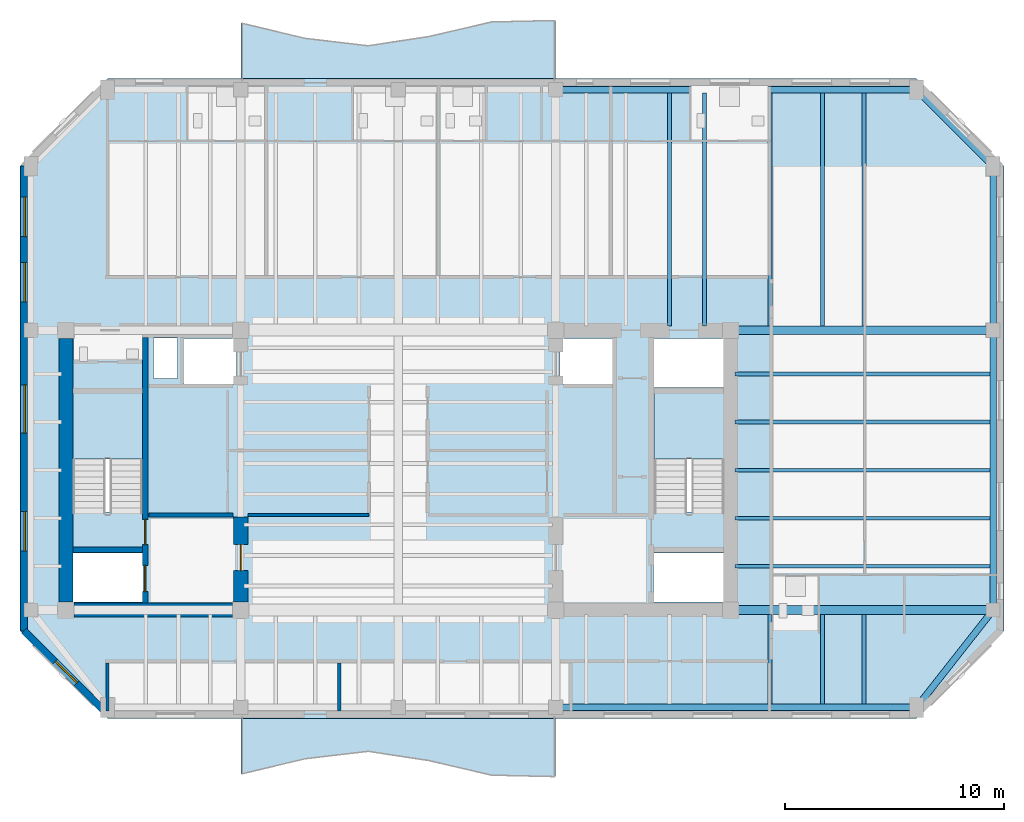
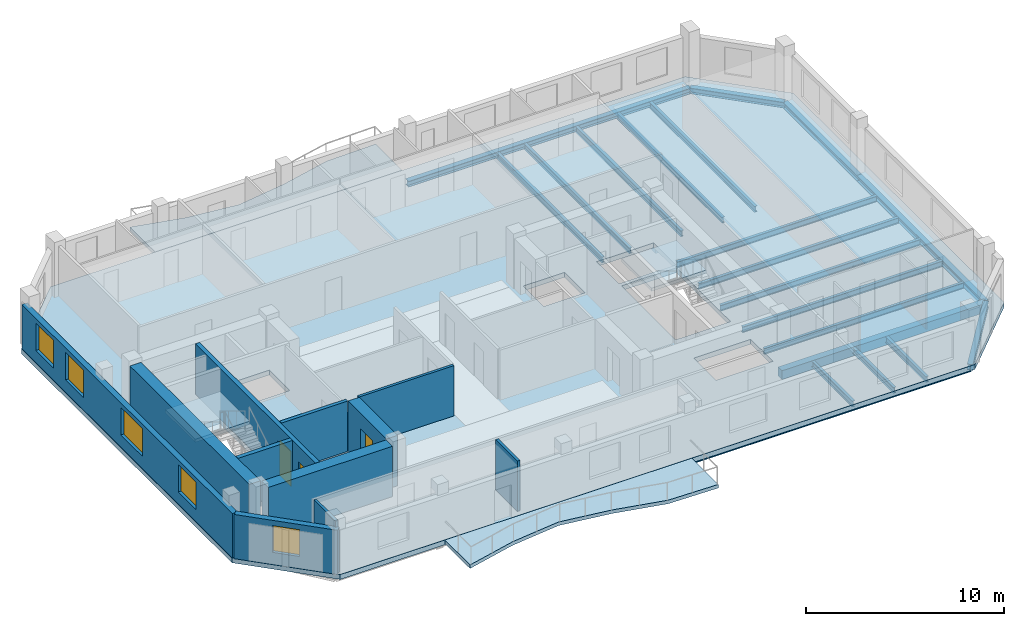
# One storey, part 2 of 9: 21 beams, 11 walls, 5 slabs, 5 windows, 3 doors, 8 openings, 2 elements without a shape of their own.
"""IFC4 building model written with IfcOpenShell, lengths in metres."""

from ifc_helpers import new_model, si_unit, direction, frame, frame_2d, origin, origin_2d, place, context, subcontext, project, spatial, polyline, rectangle, i_section, outline, extrude, material, layer, layer_set, material_profile, profile_set, type_object, element, fill, aggregate, save


model = new_model("IFC4")

# Units and contexts
model_context = context("Model", 3, precision=1e-05, world=origin(), true_north=direction((0.0, 1.0)))
body_context = subcontext(model_context, "Body", "Model", "MODEL_VIEW")
ifc_project = project(units=[si_unit("LENGTHUNIT", "METRE"), si_unit("AREAUNIT", "SQUARE_METRE"), si_unit("VOLUMEUNIT", "CUBIC_METRE"), si_unit("PLANEANGLEUNIT", "RADIAN"), si_unit("MASSUNIT", "GRAM", prefix="KILO")], contexts=[model_context])

# Site, building, storey
site_placement = place(None, origin())
site = spatial("IfcSite", under=ifc_project, at=site_placement, CompositionType="ELEMENT")
building_placement = place(site_placement, origin())
building = spatial("IfcBuilding", under=site, at=building_placement, Name="Kranthara Brick Stack", CompositionType="ELEMENT")
storey_placement = place(building_placement, frame((0.0, 0.0, 261.89990234375)))
storey = spatial("IfcBuildingStorey", under=building, at=storey_placement, Name="L69", CompositionType="ELEMENT", Elevation=261.89990234375)

# Beams
ifc_material_1 = material(Name="Post-tensioned concrete C45/55", Category="concrete")
ifc_material_profile_1 = material_profile(ifc_material_1, rectangle(XDim=0.39990234375, YDim=0.550048828125, at=origin_2d()), Name="PT 400x550")
ifc_profile_set_1 = profile_set([ifc_material_profile_1], Name="Post-tensioned concrete C45/55")
beam_type_1 = type_object("IfcBeamType", Name="BM-FLR-PT550", PredefinedType="BEAM", material=ifc_profile_set_1)
for number, where, z_axis, x_axis, name in (
    (1, (43.199951171875, 20.800048828125, -0.574951171875), (1.0, 0.0, 0.0), (0.0, 1.0, 0.0), "L69 Primary Grid Girder 029"),
    (2, (43.199951171875, 33.60009765625, -0.574951171875), (1.0, 0.0, 0.0), (0.0, 1.0, 0.0), "L69 Primary Grid Girder 031"),
):
    element("IfcBeam", number, at=place(storey_placement, frame(where, z_axis=z_axis, x_axis=x_axis)), inside=storey, type_object=beam_type_1, Name=name, PredefinedType="BEAM", context=body_context, shape_type="SweptSolid", body=[
        extrude(rectangle(XDim=0.39990234375, YDim=0.550048828125, at=origin_2d()), origin(), (0.0, 0.0, 1.0), 12.0),
    ])
ifc_material_2 = material(Name="Steel S355", Category="steel")
ifc_material_profile_2 = material_profile(ifc_material_2, i_section(OverallWidth=0.169921875, OverallDepth=0.360107421875, WebThickness=0.008056640625, FlangeThickness=0.0126953125, at=origin_2d()), Name="IPE 360")
ifc_profile_set_2 = profile_set([ifc_material_profile_2], Name="Steel S355")
beam_type_2 = type_object("IfcBeamType", Name="BM-JST-IPE360", PredefinedType="JOIST", material=ifc_profile_set_2)
for number, where, z_axis, x_axis, name in (
    (3, (40.39990234375, 33.800048828125, -0.47998046875), (0.0, 1.0, 0.0), (-1.0, 0.0, 0.0), "L69 North Wing Floor Joist 073"),
    (4, (42.0, 33.800048828125, -0.47998046875), (0.0, 1.0, 0.0), (-1.0, 0.0, 0.0), "L69 North Wing Floor Joist 075"),
):
    element("IfcBeam", number, at=place(storey_placement, frame(where, z_axis=z_axis, x_axis=x_axis)), inside=storey, type_object=beam_type_2, Name=name, PredefinedType="JOIST", context=body_context, shape_type="SweptSolid", body=[
        extrude(i_section(OverallWidth=0.169921875, OverallDepth=0.360107421875, WebThickness=0.008056640625, FlangeThickness=0.0126953125, at=origin_2d()), origin(), (0.0, 0.0, 1.0), 10.64990234375),
    ])
beam_1_placement = place(storey_placement, frame((45.0, 16.5, -0.47998046875), z_axis=(0.0, 1.0, 0.0), x_axis=(-1.0, 0.0, 0.0)))
element("IfcBeam", 5, at=beam_1_placement, inside=storey, type_object=beam_type_2, Name="L69 South Wing Floor Joist 076", PredefinedType="JOIST", context=body_context, shape_type="SweptSolid", body=[
    extrude(i_section(OverallWidth=0.169921875, OverallDepth=0.360107421875, WebThickness=0.008056640625, FlangeThickness=0.0126953125, at=origin_2d()), origin(), (0.0, 0.0, 1.0), 4.10009765625),
])
beam_2_placement = place(storey_placement, frame((45.0, 33.800048828125, -0.47998046875), z_axis=(0.0, 1.0, 0.0), x_axis=(-1.0, 0.0, 0.0)))
element("IfcBeam", 6, at=beam_2_placement, inside=storey, type_object=beam_type_2, Name="L69 North Wing Floor Joist 077", PredefinedType="JOIST", context=body_context, shape_type="SweptSolid", body=[
    extrude(i_section(OverallWidth=0.169921875, OverallDepth=0.360107421875, WebThickness=0.008056640625, FlangeThickness=0.0126953125, at=origin_2d()), origin(), (0.0, 0.0, 1.0), 10.64990234375),
])
beam_3_placement = place(storey_placement, frame((47.39990234375, 16.5, -0.47998046875), z_axis=(0.0, 1.0, 0.0), x_axis=(-1.0, 0.0, 0.0)))
element("IfcBeam", 7, at=beam_3_placement, inside=storey, type_object=beam_type_2, Name="L69 South Wing Floor Joist 078", PredefinedType="JOIST", context=body_context, shape_type="SweptSolid", body=[
    extrude(i_section(OverallWidth=0.169921875, OverallDepth=0.360107421875, WebThickness=0.008056640625, FlangeThickness=0.0126953125, at=origin_2d()), origin(), (0.0, 0.0, 1.0), 4.10009765625),
])
beam_4_placement = place(storey_placement, frame((47.39990234375, 33.800048828125, -0.47998046875), z_axis=(0.0, 1.0, 0.0), x_axis=(-1.0, 0.0, 0.0)))
element("IfcBeam", 8, at=beam_4_placement, inside=storey, type_object=beam_type_2, Name="L69 North Wing Floor Joist 079", PredefinedType="JOIST", context=body_context, shape_type="SweptSolid", body=[
    extrude(i_section(OverallWidth=0.169921875, OverallDepth=0.360107421875, WebThickness=0.008056640625, FlangeThickness=0.0126953125, at=origin_2d()), origin(), (0.0, 0.0, 1.0), 10.64990234375),
])
beam_5_placement = place(storey_placement, frame((49.300048828125, 16.5, -0.47998046875), z_axis=(0.0, 1.0, 0.0), x_axis=(-1.0, 0.0, 0.0)))
element("IfcBeam", 9, at=beam_5_placement, inside=storey, type_object=beam_type_2, Name="L69 South Wing Floor Joist 080", PredefinedType="JOIST", context=body_context, shape_type="SweptSolid", body=[
    extrude(i_section(OverallWidth=0.169921875, OverallDepth=0.360107421875, WebThickness=0.008056640625, FlangeThickness=0.0126953125, at=origin_2d()), origin(), (0.0, 0.0, 1.0), 4.10009765625),
])
beam_6_placement = place(storey_placement, frame((49.300048828125, 33.800048828125, -0.47998046875), z_axis=(0.0, 1.0, 0.0), x_axis=(-1.0, 0.0, 0.0)))
element("IfcBeam", 10, at=beam_6_placement, inside=storey, type_object=beam_type_2, Name="L69 North Wing Floor Joist 081", PredefinedType="JOIST", context=body_context, shape_type="SweptSolid", body=[
    extrude(i_section(OverallWidth=0.169921875, OverallDepth=0.360107421875, WebThickness=0.008056640625, FlangeThickness=0.0126953125, at=origin_2d()), origin(), (0.0, 0.0, 1.0), 10.64990234375),
])
for number, where, z_axis, x_axis, name in (
    (11, (43.39990234375, 22.800048828125, -0.47998046875), (1.0, 0.0, 0.0), (0.0, 1.0, 0.0), "L69 East Wing Floor Joist 083"),
    (12, (43.39990234375, 25.0, -0.47998046875), (1.0, 0.0, 0.0), (0.0, 1.0, 0.0), "L69 East Wing Floor Joist 085"),
    (13, (43.39990234375, 27.199951171875, -0.47998046875), (1.0, 0.0, 0.0), (0.0, 1.0, 0.0), "L69 East Wing Floor Joist 087"),
    (14, (43.39990234375, 29.39990234375, -0.47998046875), (1.0, 0.0, 0.0), (0.0, 1.0, 0.0), "L69 East Wing Floor Joist 089"),
    (15, (43.39990234375, 31.60009765625, -0.47998046875), (1.0, 0.0, 0.0), (0.0, 1.0, 0.0), "L69 East Wing Floor Joist 091"),
):
    element("IfcBeam", number, at=place(storey_placement, frame(where, z_axis=z_axis, x_axis=x_axis)), inside=storey, type_object=beam_type_2, Name=name, PredefinedType="JOIST", context=body_context, shape_type="SweptSolid", body=[
        extrude(i_section(OverallWidth=0.169921875, OverallDepth=0.360107421875, WebThickness=0.008056640625, FlangeThickness=0.0126953125, at=origin_2d()), origin(), (0.0, 0.0, 1.0), 11.650146484375),
    ])
ifc_material_3 = material(Name="Steel S355", Category="steel")
ifc_material_profile_3 = material_profile(ifc_material_3, i_section(OverallWidth=0.300048828125, OverallDepth=0.360107421875, WebThickness=0.012451171875, FlangeThickness=0.0224609375, at=origin_2d()), Name="HEB 360")
ifc_profile_set_3 = profile_set([ifc_material_profile_3], Name="Steel S355")
beam_type_3 = type_object("IfcBeamType", Name="BM-STL-HEB360", PredefinedType="SPANDREL", material=ifc_profile_set_3)
for number, where, z_axis, x_axis, name in (
    (16, (35.199951171875, 16.35009765625, -0.47998046875), (1.0, 0.0, 0.0), (0.0, 1.0, 0.0), "L69 Perimeter Spandrel Beam 008"),
    (17, (35.199951171875, 44.60009765625, -0.47998046875), (1.0, 0.0, 0.0), (0.0, 1.0, 0.0), "L69 Perimeter Spandrel Beam 012"),
):
    element("IfcBeam", number, at=place(storey_placement, frame(where, z_axis=z_axis, x_axis=x_axis)), inside=storey, type_object=beam_type_3, Name=name, PredefinedType="SPANDREL", context=body_context, shape_type="SweptSolid", body=[
        extrude(i_section(OverallWidth=0.300048828125, OverallDepth=0.360107421875, WebThickness=0.012451171875, FlangeThickness=0.0224609375, at=origin_2d()), origin(), (0.0, 0.0, 1.0), 16.5),
    ])
beam_7_placement = place(storey_placement, frame((55.199951171875, 20.800048828125, -0.47998046875), z_axis=(0.0, 1.0, 0.0), x_axis=(-1.0, 0.0, 0.0)))
element("IfcBeam", 18, at=beam_7_placement, inside=storey, type_object=beam_type_3, Name="L69 Perimeter Spandrel Beam 015", PredefinedType="SPANDREL", context=body_context, shape_type="SweptSolid", body=[
    extrude(i_section(OverallWidth=0.300048828125, OverallDepth=0.360107421875, WebThickness=0.012451171875, FlangeThickness=0.0224609375, at=origin_2d()), origin(), (0.0, 0.0, 1.0), 12.800048828125),
])
beam_8_placement = place(storey_placement, frame((55.199951171875, 33.60009765625, -0.47998046875), z_axis=(0.0, 1.0, 0.0), x_axis=(-1.0, 0.0, 0.0)))
element("IfcBeam", 19, at=beam_8_placement, inside=storey, type_object=beam_type_3, Name="L69 Perimeter Spandrel Beam 016", PredefinedType="SPANDREL", context=body_context, shape_type="SweptSolid", body=[
    extrude(i_section(OverallWidth=0.300048828125, OverallDepth=0.360107421875, WebThickness=0.012451171875, FlangeThickness=0.0224609375, at=origin_2d()), origin(), (0.0, 0.0, 1.0), 7.5),
])
beam_9_placement = place(storey_placement, frame((51.699951171875, 16.35009765625, -0.47998046875), z_axis=(0.618215705636, 0.78600848679, 0.0), x_axis=(-0.78600848679, 0.618215705636, 0.0)))
element("IfcBeam", 20, at=beam_9_placement, inside=storey, type_object=beam_type_3, Name="L69 Chamfer Corner Spandrel 018", PredefinedType="SPANDREL", context=body_context, shape_type="SweptSolid", body=[
    extrude(i_section(OverallWidth=0.300048828125, OverallDepth=0.360107421875, WebThickness=0.012451171875, FlangeThickness=0.0224609375, at=origin_2d()), origin(), (0.0, 0.0, 1.0), 5.661376953125),
])
beam_10_placement = place(storey_placement, frame((51.699951171875, 44.60009765625, -0.47998046875), z_axis=(0.707106781187, -0.707106781187, 0.0), x_axis=(0.707106781187, 0.707106781187, 0.0)))
element("IfcBeam", 21, at=beam_10_placement, inside=storey, type_object=beam_type_3, Name="L69 Chamfer Corner Spandrel 020", PredefinedType="SPANDREL", context=body_context, shape_type="SweptSolid", body=[
    extrude(i_section(OverallWidth=0.300048828125, OverallDepth=0.360107421875, WebThickness=0.012451171875, FlangeThickness=0.0224609375, at=origin_2d()), origin(), (0.0, 0.0, 1.0), 4.94970703125),
])

# Slabs
ifc_material_4 = material(Name="Concrete C45/55", Category="concrete")
ifc_layer_1 = layer(ifc_material_4, 0.219970703125)
ifc_layer_set_1 = layer_set([ifc_layer_1], Name="Concrete C45/55")
slab_type_1 = type_object("IfcSlabType", Name="SLB-BALC-220", PredefinedType="FLOOR", material=ifc_layer_set_1)
slab_1_placement = place(storey_placement, frame((0.0, 0.0, -0.219970703125)))
element("IfcSlab", 22, at=slab_1_placement, inside=storey, type_object=slab_type_1, Name="L69 South Rippling Balcony Slab", PredefinedType="FLOOR", context=body_context, shape_type="SweptSolid", body=[
    extrude(outline(polyline([(20.800048828125, 15.85009765625), (35.199951171875, 15.85009765625), (35.199951171875, 13.1787109375), (32.320068359375, 13.240478515625), (29.43994140625, 13.91162109375), (26.56005859375, 14.34814453125), (23.679931640625, 14.0009765625), (20.800048828125, 13.306884765625), (20.800048828125, 15.85009765625)])), origin(), (0.0, 0.0, 1.0), 0.219970703125),
])
slab_2_placement = place(storey_placement, frame((0.0, 0.0, -0.219970703125)))
element("IfcSlab", 23, at=slab_2_placement, inside=storey, type_object=slab_type_1, Name="L69 North Rippling Balcony Slab", PredefinedType="FLOOR", context=body_context, shape_type="SweptSolid", body=[
    extrude(outline(polyline([(35.199951171875, 45.10009765625), (20.800048828125, 45.10009765625), (20.800048828125, 47.643310546875), (23.679931640625, 46.948974609375), (26.56005859375, 46.601806640625), (29.43994140625, 47.038330078125), (32.320068359375, 47.709716796875), (35.199951171875, 47.771240234375), (35.199951171875, 45.10009765625)])), origin(), (0.0, 0.0, 1.0), 0.219970703125),
])

# Stair, slab
ifc_material_5 = material(Name="Concrete C45/55", Category="concrete")
stair_type = type_object("IfcStairType", Name="ST-CORE-20R", PredefinedType="HALF_TURN_STAIR", material=ifc_material_5)
stair_1_placement = place(storey_placement, origin())
stair_1 = element("IfcStair", 24, at=stair_1_placement, inside=storey, type_object=stair_type, Name="L69 West Core Protected Exit Stair ST01", PredefinedType="HALF_TURN_STAIR")
ifc_material_6 = material(Name="Concrete C45/55", Category="concrete")
ifc_layer_2 = layer(ifc_material_6, 0.199951171875)
ifc_layer_set_2 = layer_set([ifc_layer_2], Name="Concrete C45/55")
slab_type_2 = type_object("IfcSlabType", Name="SLB-LANDING-200", PredefinedType="LANDING", material=ifc_layer_set_2)
slab_3_placement = place(storey_placement, frame((0.0, 0.0, 1.5)))
slab_3 = element("IfcSlab", 25, at=slab_3_placement, type_object=slab_type_2, Name="ST01 landing 1", PredefinedType="LANDING", context=body_context, shape_type="SweptSolid", body=[
    extrude(outline(polyline([(16.300048828125, 27.719970703125), (16.300048828125, 30.75), (13.10009765625, 30.75), (13.10009765625, 27.719970703125), (16.300048828125, 27.719970703125)])), origin(), (0.0, 0.0, 1.0), 0.2001953125),
])
aggregate(stair_1, [slab_3])

stair_2_placement = place(storey_placement, origin())
stair_2 = element("IfcStair", 26, at=stair_2_placement, inside=storey, type_object=stair_type, Name="L69 East Core Protected Exit Stair ST02", PredefinedType="HALF_TURN_STAIR")
slab_4_placement = place(storey_placement, frame((0.0, 0.0, 1.5)))
slab_4 = element("IfcSlab", 27, at=slab_4_placement, type_object=slab_type_2, Name="ST02 landing 1", PredefinedType="LANDING", context=body_context, shape_type="SweptSolid", body=[
    extrude(outline(polyline([(42.89990234375, 27.719970703125), (42.89990234375, 30.75), (39.699951171875, 30.75), (39.699951171875, 27.719970703125), (42.89990234375, 27.719970703125)])), origin(), (0.0, 0.0, 1.0), 0.2001953125),
])
aggregate(stair_2, [slab_4])

# Slab
ifc_material_7 = material(Name="Post-tensioned concrete C45/55", Category="concrete")
ifc_layer_3 = layer(ifc_material_7, 0.300048828125)
ifc_layer_set_3 = layer_set([ifc_layer_3], Name="Post-tensioned concrete C45/55")
slab_type_3 = type_object("IfcSlabType", Name="SLB-TWR-300", PredefinedType="FLOOR", material=ifc_layer_set_3)
slab_5_placement = place(storey_placement, frame((0.0, 0.0, -0.2998046875)))
element("IfcSlab", 28, at=slab_5_placement, inside=storey, type_object=slab_type_3, Name="L69 Structural Floor Plate", PredefinedType="FLOOR", context=body_context, shape_type="SweptSolid", body=[
    extrude(outline(polyline([(14.699951171875, 15.85009765625), (51.699951171875, 15.85009765625), (55.699951171875, 19.85009765625), (55.699951171875, 41.10009765625), (51.699951171875, 45.10009765625), (14.699951171875, 45.10009765625), (10.699951171875, 41.10009765625), (10.699951171875, 19.85009765625), (14.699951171875, 15.85009765625)]), holes=[polyline([(13.10009765625, 25.280029296875), (16.300048828125, 25.280029296875), (16.300048828125, 30.75), (13.10009765625, 30.75), (13.10009765625, 25.280029296875)]), polyline([(39.699951171875, 25.280029296875), (42.89990234375, 25.280029296875), (42.89990234375, 30.75), (39.699951171875, 30.75), (39.699951171875, 25.280029296875)]), polyline([(13.0, 21.179931640625), (16.320068359375, 21.179931640625), (16.320068359375, 23.419921875), (13.0, 23.419921875), (13.0, 21.179931640625)]), polyline([(39.679931640625, 21.179931640625), (43.0, 21.179931640625), (43.0, 23.419921875), (39.679931640625, 23.419921875), (39.679931640625, 21.179931640625)]), polyline([(39.679931640625, 30.97998046875), (43.0, 30.97998046875), (43.0, 33.219970703125), (39.679931640625, 33.219970703125), (39.679931640625, 30.97998046875)]), polyline([(18.199951171875, 31.14990234375), (20.60009765625, 31.14990234375), (20.60009765625, 33.219970703125), (18.199951171875, 33.219970703125), (18.199951171875, 31.14990234375)]), polyline([(35.39990234375, 31.14990234375), (37.800048828125, 31.14990234375), (37.800048828125, 33.219970703125), (35.39990234375, 33.219970703125), (35.39990234375, 31.14990234375)]), polyline([(16.800048828125, 31.39990234375), (17.89990234375, 31.39990234375), (17.89990234375, 33.25), (16.800048828125, 33.25), (16.800048828125, 31.39990234375)])]), origin(), (0.0, 0.0, 1.0), 0.2998046875),
])

# Wall, opening, window
ifc_material_8 = material(Name="Warm buff clay brick masonry M15", Category="masonry")
ifc_layer_4 = layer(ifc_material_8, 0.320068359375)
ifc_layer_set_4 = layer_set([ifc_layer_4], Name="Warm buff clay brick masonry M15")
wall_type_1 = type_object("IfcWallType", Name="WL-BRK-UPPR-320", PredefinedType="STANDARD", material=ifc_layer_set_4)
wall_1_placement = place(storey_placement, frame((14.699951171875, 16.030029296875, 0.0), z_axis=(0.0, 0.0, 1.0), x_axis=(-0.707106781187, 0.707106781187, 0.0)))
wall_1 = element("IfcWall", 29, at=wall_1_placement, inside=storey, type_object=wall_type_1, Name="L69 Exterior Brick Facade Wall SW 1", PredefinedType="STANDARD", context=body_context, shape_type="SweptSolid", body=[
    extrude(rectangle(XDim=5.40234375, YDim=0.320068359375, at=frame_2d((2.701171875, 0.0))), origin(), (0.0, 0.0, 1.0), 2.72509765625),
])
opening_1_placement = place(wall_1_placement, frame((2.0009765625, 0.0, 0.75)))
opening_1 = element("IfcOpeningElement", 30, at=opening_1_placement, cuts=wall_1, Name="Opening WN10", PredefinedType="OPENING", context=body_context, shape_type="SweptSolid", body=[
    extrude(rectangle(XDim=1.39990234375, YDim=1.64990234375, at=frame_2d((0.699951171875, 0.824951171875))), frame((0.0, 0.169921875, 0.0), z_axis=(0.0, -1.0, 0.0), x_axis=(1.0, 0.0, 0.0)), (0.0, 0.0, 1.0), 0.340087890625),
])
ifc_material_9 = material(Name="Double-glazed low-E solar control glass", Category="glass")
window_type_1 = type_object("IfcWindowType", Name="WN-CHM-1400x1750", PartitioningType="SINGLE_PANEL", PredefinedType="WINDOW", material=ifc_material_9)
window_1_placement = place(opening_1_placement, origin())
window_1 = element("IfcWindow", 31, at=window_1_placement, inside=storey, type_object=window_type_1, Name="L69 SW Chamfer Corner Window", OverallHeight=1.64990234375, OverallWidth=1.39990234375, PartitioningType="SINGLE_PANEL", PredefinedType="WINDOW", context=body_context, shape_type="SweptSolid", body=[
    extrude(rectangle(XDim=1.39990234375, YDim=1.64990234375, at=frame_2d((0.699951171875, 0.824951171875))), frame((0.0, -0.010009765625, 0.0), z_axis=(0.0, -1.0, 0.0), x_axis=(1.0, 0.0, 0.0)), (0.0, 0.0, 1.0), 0.06005859375),
])
fill(opening_1, window_1)

# Wall, openings, windows
wall_2_placement = place(storey_placement, frame((10.8798828125, 19.85009765625, 0.0), z_axis=(0.0, 0.0, 1.0), x_axis=(0.0, 1.0, 0.0)))
wall_2 = element("IfcWall", 32, at=wall_2_placement, inside=storey, type_object=wall_type_1, Name="L69 Exterior Brick Facade Wall WEST 1", PredefinedType="STANDARD", context=body_context, shape_type="SweptSolid", body=[
    extrude(rectangle(XDim=21.25, YDim=0.320068359375, at=frame_2d((10.625, 0.0))), origin(), (0.0, 0.0, 1.0), 2.72509765625),
])
opening_2_placement = place(wall_2_placement, frame((3.654052734375, 0.0, 0.75)))
opening_2 = element("IfcOpeningElement", 33, at=opening_2_placement, cuts=wall_2, Name="Opening WN07", PredefinedType="OPENING", context=body_context, shape_type="SweptSolid", body=[
    extrude(rectangle(XDim=1.800048828125, YDim=1.699951171875, at=frame_2d((0.89990234375, 0.85009765625))), frame((0.0, 0.169921875, 0.0), z_axis=(0.0, -1.0, 0.0), x_axis=(1.0, 0.0, 0.0)), (0.0, 0.0, 1.0), 0.340087890625),
])
opening_3_placement = place(wall_2_placement, frame((9.0458984375, 0.0, 0.75)))
opening_3 = element("IfcOpeningElement", 34, at=opening_3_placement, cuts=wall_2, Name="Opening WN08", PredefinedType="OPENING", context=body_context, shape_type="SweptSolid", body=[
    extrude(rectangle(XDim=2.199951171875, YDim=1.699951171875, at=frame_2d((1.10009765625, 0.85009765625))), frame((0.0, 0.169921875, 0.0), z_axis=(0.0, -1.0, 0.0), x_axis=(1.0, 0.0, 0.0)), (0.0, 0.0, 1.0), 0.340087890625),
])
opening_4_placement = place(wall_2_placement, frame((15.04296875, 0.0, 0.75)))
opening_4 = element("IfcOpeningElement", 35, at=opening_4_placement, cuts=wall_2, Name="Opening WN07", PredefinedType="OPENING", context=body_context, shape_type="SweptSolid", body=[
    extrude(rectangle(XDim=1.800048828125, YDim=1.699951171875, at=frame_2d((0.89990234375, 0.85009765625))), frame((0.0, 0.169921875, 0.0), z_axis=(0.0, -1.0, 0.0), x_axis=(1.0, 0.0, 0.0)), (0.0, 0.0, 1.0), 0.340087890625),
])
opening_5_placement = place(wall_2_placement, frame((18.031982421875, 0.0, 0.75)))
opening_5 = element("IfcOpeningElement", 36, at=opening_5_placement, cuts=wall_2, Name="Opening WN07", PredefinedType="OPENING", context=body_context, shape_type="SweptSolid", body=[
    extrude(rectangle(XDim=1.800048828125, YDim=1.699951171875, at=frame_2d((0.89990234375, 0.85009765625))), frame((0.0, 0.169921875, 0.0), z_axis=(0.0, -1.0, 0.0), x_axis=(1.0, 0.0, 0.0)), (0.0, 0.0, 1.0), 0.340087890625),
])
ifc_material_10 = material(Name="Double-glazed low-E solar control glass", Category="glass")
window_type_2 = type_object("IfcWindowType", Name="WN-RES-1800x1850", PartitioningType="DOUBLE_PANEL_VERTICAL", PredefinedType="WINDOW", material=ifc_material_10)
window_2_placement = place(opening_2_placement, origin())
window_2 = element("IfcWindow", 37, at=window_2_placement, inside=storey, type_object=window_type_2, Name="L69 West Deep-Set Brick Window 01", OverallHeight=1.699951171875, OverallWidth=1.800048828125, PartitioningType="SINGLE_PANEL", PredefinedType="WINDOW", context=body_context, shape_type="SweptSolid", body=[
    extrude(rectangle(XDim=1.800048828125, YDim=1.699951171875, at=frame_2d((0.89990234375, 0.85009765625))), frame((0.0, -0.010009765625, 0.0), z_axis=(0.0, -1.0, 0.0), x_axis=(1.0, 0.0, 0.0)), (0.0, 0.0, 1.0), 0.06005859375),
])
fill(opening_2, window_2)
window_3_placement = place(opening_4_placement, origin())
window_3 = element("IfcWindow", 38, at=window_3_placement, inside=storey, type_object=window_type_2, Name="L69 West Deep-Set Brick Window 03", OverallHeight=1.699951171875, OverallWidth=1.800048828125, PartitioningType="SINGLE_PANEL", PredefinedType="WINDOW", context=body_context, shape_type="SweptSolid", body=[
    extrude(rectangle(XDim=1.800048828125, YDim=1.699951171875, at=frame_2d((0.89990234375, 0.85009765625))), frame((0.0, -0.010009765625, 0.0), z_axis=(0.0, -1.0, 0.0), x_axis=(1.0, 0.0, 0.0)), (0.0, 0.0, 1.0), 0.06005859375),
])
fill(opening_4, window_3)
window_4_placement = place(opening_5_placement, origin())
window_4 = element("IfcWindow", 39, at=window_4_placement, inside=storey, type_object=window_type_2, Name="L69 West Deep-Set Brick Window 04", OverallHeight=1.699951171875, OverallWidth=1.800048828125, PartitioningType="SINGLE_PANEL", PredefinedType="WINDOW", context=body_context, shape_type="SweptSolid", body=[
    extrude(rectangle(XDim=1.800048828125, YDim=1.699951171875, at=frame_2d((0.89990234375, 0.85009765625))), frame((0.0, -0.010009765625, 0.0), z_axis=(0.0, -1.0, 0.0), x_axis=(1.0, 0.0, 0.0)), (0.0, 0.0, 1.0), 0.06005859375),
])
fill(opening_5, window_4)
ifc_material_11 = material(Name="Double-glazed low-E solar control glass", Category="glass")
window_type_3 = type_object("IfcWindowType", Name="WN-RES-2200x1850", PartitioningType="TRIPLE_PANEL_VERTICAL", PredefinedType="WINDOW", material=ifc_material_11)
window_5_placement = place(opening_3_placement, origin())
window_5 = element("IfcWindow", 40, at=window_5_placement, inside=storey, type_object=window_type_3, Name="L69 West Deep-Set Brick Window 02", OverallHeight=1.699951171875, OverallWidth=2.199951171875, PartitioningType="SINGLE_PANEL", PredefinedType="WINDOW", context=body_context, shape_type="SweptSolid", body=[
    extrude(rectangle(XDim=2.199951171875, YDim=1.699951171875, at=frame_2d((1.10009765625, 0.85009765625))), frame((0.0, -0.010009765625, 0.0), z_axis=(0.0, -1.0, 0.0), x_axis=(1.0, 0.0, 0.0)), (0.0, 0.0, 1.0), 0.06005859375),
])
fill(opening_3, window_5)

# Wall, openings, doors
ifc_material_12 = material(Name="Concrete C50/60", Category="concrete")
ifc_layer_5 = layer(ifc_material_12, 0.25)
ifc_layer_set_5 = layer_set([ifc_layer_5], Name="Concrete C50/60")
wall_type_2 = type_object("IfcWallType", Name="WL-CORE-250", PredefinedType="SHEAR", material=ifc_layer_set_5)
wall_3_placement = place(storey_placement, frame((16.43505859375, 21.135009765625, 0.0), z_axis=(0.0, 0.0, 1.0), x_axis=(0.0, 1.0, 0.0)))
wall_3 = element("IfcWall", 41, at=wall_3_placement, inside=storey, type_object=wall_type_2, Name="L69 West Core Stair Bearing Spine Wall", PredefinedType="SHEAR", context=body_context, shape_type="SweptSolid", body=[
    extrude(rectangle(XDim=12.1298828125, YDim=0.25, at=frame_2d((6.06494140625, 0.0))), origin(), (0.0, 0.0, 1.0), 3.10009765625),
])
opening_6_placement = place(wall_3_placement, frame((0.514892578125, 0.0, 0.0)))
opening_6 = element("IfcOpeningElement", 42, at=opening_6_placement, cuts=wall_3, Name="Opening LD01", PredefinedType="OPENING", context=body_context, shape_type="SweptSolid", body=[
    extrude(rectangle(XDim=1.199951171875, YDim=2.14990234375, at=frame_2d((0.60009765625, 1.074951171875))), frame((0.0, 0.135009765625, 0.0), z_axis=(0.0, -1.0, 0.0), x_axis=(1.0, 0.0, 0.0)), (0.0, 0.0, 1.0), 0.27001953125),
])
opening_7_placement = place(wall_3_placement, frame((2.6650390625, 0.0, 0.0)))
opening_7 = element("IfcOpeningElement", 43, at=opening_7_placement, cuts=wall_3, Name="Opening D05", PredefinedType="OPENING", context=body_context, shape_type="SweptSolid", body=[
    extrude(rectangle(XDim=1.14990234375, YDim=2.14990234375, at=frame_2d((0.574951171875, 1.074951171875))), frame((0.0, 0.135009765625, 0.0), z_axis=(0.0, -1.0, 0.0), x_axis=(1.0, 0.0, 0.0)), (0.0, 0.0, 1.0), 0.27001953125),
])
ifc_material_13 = material(Name="Stainless steel sliding landing door", Category="steel")
door_type_1 = type_object("IfcDoorType", Name="DR-LD-FF1200", OperationType="DOUBLE_DOOR_SLIDING", PredefinedType="DOOR", material=ifc_material_13)
door_1_placement = place(opening_6_placement, origin())
door_1 = element("IfcDoor", 44, at=door_1_placement, inside=storey, type_object=door_type_1, Name="L69 Firefighting Lift FF-01 Landing Door", OperationType="DOUBLE_DOOR_SLIDING", OverallHeight=2.14990234375, OverallWidth=1.199951171875, PredefinedType="DOOR", context=body_context, shape_type="SweptSolid", body=[
    extrude(rectangle(XDim=1.199951171875, YDim=2.14990234375, at=frame_2d((0.60009765625, 1.074951171875))), frame((0.0, 0.02490234375, 0.0), z_axis=(0.0, -1.0, 0.0), x_axis=(1.0, 0.0, 0.0)), (0.0, 0.0, 1.0), 0.050048828125),
])
fill(opening_6, door_1)
ifc_material_14 = material(Name="Solid-core hardwood timber leaf in steel frame", Category="steel")
door_type_2 = type_object("IfcDoorType", Name="DR-ST-1150", OperationType="NOTDEFINED", PredefinedType="DOOR", material=ifc_material_14)
door_2_placement = place(opening_7_placement, origin())
door_2 = element("IfcDoor", 45, at=door_2_placement, inside=storey, type_object=door_type_2, Name="L69 Exit Stair ST01 Door", OperationType="SINGLE_SWING_RIGHT", OverallHeight=2.14990234375, OverallWidth=1.14990234375, PredefinedType="DOOR", context=body_context, shape_type="SweptSolid", body=[
    extrude(rectangle(XDim=1.14990234375, YDim=2.14990234375, at=frame_2d((0.574951171875, 1.074951171875))), frame((0.0, 0.02490234375, 0.0), z_axis=(0.0, -1.0, 0.0), x_axis=(1.0, 0.0, 0.0)), (0.0, 0.0, 1.0), 0.050048828125),
])
fill(opening_7, door_2)

# Walls
wall_4_placement = place(storey_placement, frame((13.135009765625, 23.570068359375, 0.0), z_axis=(0.0, 0.0, 1.0), x_axis=(1.0, 0.0, 0.0)))
element("IfcWall", 46, at=wall_4_placement, inside=storey, type_object=wall_type_2, Name="L69 West Stairwell Bearing Wall WFF", PredefinedType="SHEAR", context=body_context, shape_type="SweptSolid", body=[
    extrude(rectangle(XDim=3.175048828125, YDim=0.25, at=frame_2d((1.58740234375, 0.0))), origin(), (0.0, 0.0, 1.0), 3.10009765625),
])
ifc_material_15 = material(Name="Concrete C60/75", Category="concrete")
ifc_layer_6 = layer(ifc_material_15, 0.64990234375)
ifc_layer_set_6 = layer_set([ifc_layer_6], Name="Concrete C60/75")
wall_type_3 = type_object("IfcWallType", Name="WL-CORE-650", PredefinedType="SHEAR", material=ifc_layer_set_6)
wall_5_placement = place(storey_placement, frame((12.800048828125, 21.179931640625, 0.0), z_axis=(0.0, 0.0, 1.0), x_axis=(0.0, 1.0, 0.0)))
element("IfcWall", 47, at=wall_5_placement, inside=storey, type_object=wall_type_3, Name="L69 West Core Shear Wall West", PredefinedType="SHEAR", context=body_context, shape_type="SweptSolid", body=[
    extrude(rectangle(XDim=12.0400390625, YDim=0.64990234375, at=frame_2d((6.02001953125, 0.0))), origin(), (0.0, 0.0, 1.0), 3.10009765625),
])
wall_6_placement = place(storey_placement, frame((13.179931640625, 20.800048828125, 0.0), z_axis=(0.0, 0.0, 1.0), x_axis=(1.0, 0.0, 0.0)))
element("IfcWall", 48, at=wall_6_placement, inside=storey, type_object=wall_type_3, Name="L69 West Core Shear Wall South", PredefinedType="SHEAR", context=body_context, shape_type="SweptSolid", body=[
    extrude(rectangle(XDim=7.239990234375, YDim=0.64990234375, at=frame_2d((3.6201171875, 0.0))), origin(), (0.0, 0.0, 1.0), 3.10009765625),
])

# Wall, opening, door
wall_7_placement = place(storey_placement, frame((20.800048828125, 21.179931640625, 0.0), z_axis=(0.0, 0.0, 1.0), x_axis=(0.0, 1.0, 0.0)))
wall_7 = element("IfcWall", 49, at=wall_7_placement, inside=storey, type_object=wall_type_3, Name="L69 West Core Lobby Shear Wall", PredefinedType="SHEAR", context=body_context, shape_type="SweptSolid", body=[
    extrude(rectangle(XDim=3.8701171875, YDim=0.64990234375, at=frame_2d((1.93505859375, 0.0))), origin(), (0.0, 0.0, 1.0), 3.10009765625),
])
opening_8_placement = place(wall_7_placement, frame((1.419921875, 0.0, 0.0)))
opening_8 = element("IfcOpeningElement", 50, at=opening_8_placement, cuts=wall_7, Name="Opening D06", PredefinedType="OPENING", context=body_context, shape_type="SweptSolid", body=[
    extrude(rectangle(XDim=1.199951171875, YDim=2.14990234375, at=frame_2d((0.60009765625, 1.074951171875))), frame((0.0, 0.3349609375, 0.0), z_axis=(0.0, -1.0, 0.0), x_axis=(1.0, 0.0, 0.0)), (0.0, 0.0, 1.0), 0.669921875),
])
ifc_material_16 = material(Name="Solid-core hardwood timber leaf in steel frame", Category="steel")
door_type_3 = type_object("IfcDoorType", Name="DR-FFL-1200", OperationType="NOTDEFINED", PredefinedType="DOOR", material=ifc_material_16)
door_3_placement = place(opening_8_placement, origin())
door_3 = element("IfcDoor", 51, at=door_3_placement, inside=storey, type_object=door_type_3, Name="L69 West Firefighting Lobby Door", OperationType="SINGLE_SWING_LEFT", OverallHeight=2.14990234375, OverallWidth=1.199951171875, PredefinedType="DOOR", context=body_context, shape_type="SweptSolid", body=[
    extrude(rectangle(XDim=1.199951171875, YDim=2.14990234375, at=frame_2d((0.60009765625, 1.074951171875))), frame((0.0, 0.02490234375, 0.0), z_axis=(0.0, -1.0, 0.0), x_axis=(1.0, 0.0, 0.0)), (0.0, 0.0, 1.0), 0.050048828125),
])
fill(opening_8, door_3)

# Walls
ifc_material_17 = material(Name="Fire-rated gypsum board partition", Category="other")
ifc_layer_7 = layer(ifc_material_17, 0.14990234375)
ifc_layer_set_7 = layer_set([ifc_layer_7], Name="Fire-rated gypsum board partition")
wall_type_4 = type_object("IfcWallType", Name="WL-PART-150", PredefinedType="PARTITIONING", material=ifc_layer_set_7)
wall_8_placement = place(storey_placement, frame((21.1298828125, 25.14990234375, 0.0), z_axis=(0.0, 0.0, 1.0), x_axis=(1.0, 0.0, 0.0)))
element("IfcWall", 52, at=wall_8_placement, inside=storey, type_object=wall_type_4, Name="L69 Interior Partition 004", PredefinedType="PARTITIONING", context=body_context, shape_type="SweptSolid", body=[
    extrude(rectangle(XDim=5.52001953125, YDim=0.14990234375, at=frame_2d((2.760009765625, 0.0))), origin(), (0.0, 0.0, 1.0), 3.10009765625),
])
for number, where, z_axis, x_axis, name in (
    (53, (14.699951171875, 16.195068359375, 0.0), (0.0, 0.0, 1.0), (0.0, 1.0, 0.0), "L69 Interior Partition 013"),
    (54, (25.298095703125, 16.195068359375, 0.0), (0.0, 0.0, 1.0), (0.0, 1.0, 0.0), "L69 Interior Partition 014"),
):
    element("IfcWall", number, at=place(storey_placement, frame(where, z_axis=z_axis, x_axis=x_axis)), inside=storey, type_object=wall_type_4, Name=name, PredefinedType="PARTITIONING", context=body_context, shape_type="SweptSolid", body=[
        extrude(rectangle(XDim=2.184814453125, YDim=0.14990234375, at=frame_2d((1.09228515625, 0.0))), origin(), (0.0, 0.0, 1.0), 3.10009765625),
    ])
ifc_material_18 = material(Name="Concrete C40/50", Category="concrete")
ifc_layer_8 = layer(ifc_material_18, 0.199951171875)
ifc_layer_set_8 = layer_set([ifc_layer_8], Name="Concrete C40/50")
wall_type_5 = type_object("IfcWallType", Name="WL-PART-200", PredefinedType="SOLIDWALL", material=ifc_layer_set_8)
wall_9_placement = place(storey_placement, frame((16.60009765625, 25.14990234375, 0.0), z_axis=(0.0, 0.0, 1.0), x_axis=(1.0, 0.0, 0.0)))
element("IfcWall", 55, at=wall_9_placement, inside=storey, type_object=wall_type_5, Name="L69 West Core Cross Wall WFL", PredefinedType="SOLIDWALL", context=body_context, shape_type="SweptSolid", body=[
    extrude(rectangle(XDim=3.849853515625, YDim=0.199951171875, at=frame_2d((1.9248046875, 0.0))), origin(), (0.0, 0.0, 1.0), 3.10009765625),
])

save(model, "model.ifc")
